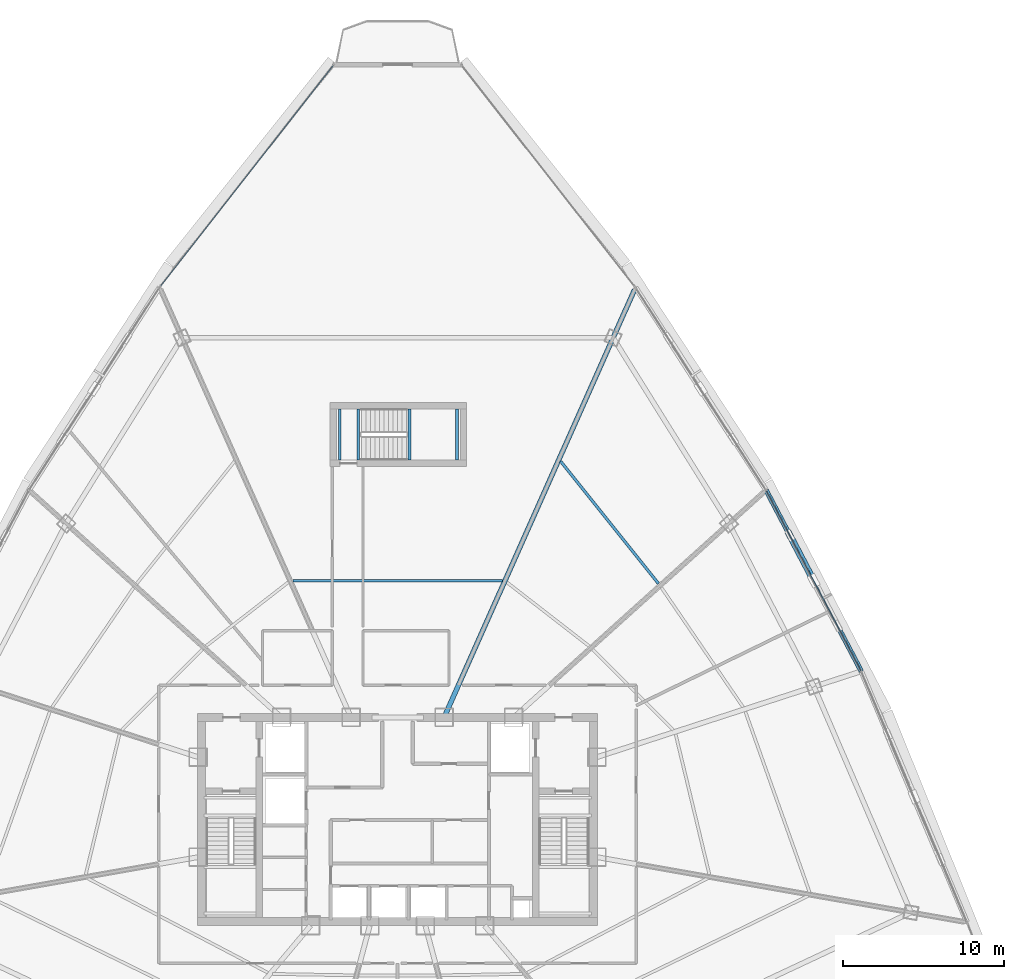
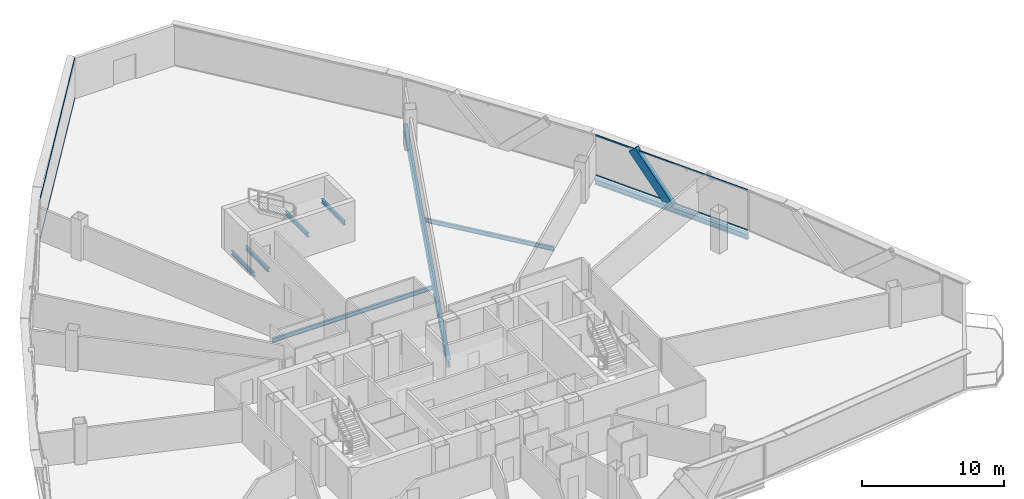
# One storey, part 17 of 34: 8 beams, 5 members, 2 elements without a shape of their own.
"""IFC4 building model written with IfcOpenShell, lengths in metres."""

from ifc_helpers import new_model, si_unit, direction, frame, origin, origin_2d, place, context, subcontext, project, spatial, hollow_rectangle, i_section, extrude, source, transform, mapped, material, layer, layer_set, material_profile, profile_set, type_object, element, aggregate, save


model = new_model("IFC4")

# Units and contexts
model_context = context("Model", 3, precision=1e-05, world=origin(), true_north=direction((0.0, 1.0)))
body_context = subcontext(model_context, "Body", "Model", "MODEL_VIEW")
ifc_project = project(units=[si_unit("LENGTHUNIT", "METRE"), si_unit("AREAUNIT", "SQUARE_METRE"), si_unit("VOLUMEUNIT", "CUBIC_METRE"), si_unit("PLANEANGLEUNIT", "RADIAN"), si_unit("MASSUNIT", "GRAM", prefix="KILO"), si_unit("THERMODYNAMICTEMPERATUREUNIT", "KELVIN"), si_unit("POWERUNIT", "WATT")], contexts=[model_context])

# Site, building, storey
site_placement = place(None, origin())
site = spatial("IfcSite", under=ifc_project, at=site_placement, CompositionType="ELEMENT")
building_placement = place(site_placement, origin())
building = spatial("IfcBuilding", under=site, at=building_placement, Name="Yunzhuo Pagoda Commons", CompositionType="ELEMENT")
storey_placement = place(building_placement, frame((0.0, 0.0, 233.340087890625)))
storey = spatial("IfcBuildingStorey", under=building, at=storey_placement, Name="L58", CompositionType="ELEMENT", Elevation=233.340087890625)

# Beams
ifc_material_1 = material(Name="Structural steel Q355B", Category="steel")
ifc_material_profile_1 = material_profile(ifc_material_1, i_section(OverallWidth=0.175048828125, OverallDepth=0.35009765625, WebThickness=0.007080078125, FlangeThickness=0.010986328125, at=origin_2d()), Name="Structural steel Q355B")
ifc_profile_set_1 = profile_set([ifc_material_profile_1], Name="Structural steel Q355B")
beam_type_1 = type_object("IfcBeamType", Name="B-JS2 Joist HN 350x175x7x11", PredefinedType="JOIST", material=ifc_profile_set_1)
shared_shape_1 = source(origin(), body_context, "Body", "SweptSolid", [
    extrude(i_section(OverallWidth=0.175048828125, OverallDepth=0.35009765625, WebThickness=0.007080078125, FlangeThickness=0.010986328125, at=origin_2d()), origin(), (0.0, 0.0, 1.0), 3.199951171875),
])
for number, where, z_axis, x_axis, name in (
    (1, (48.75, 56.199951171875, 1.489990234375), (0.0, 1.0, 0.0), (-1.0, 0.0, 0.0), "L58 ST3 landing support beam 64A"),
    (2, (51.699951171875, 56.199951171875, 1.489990234375), (0.0, 1.0, 0.0), (-1.0, 0.0, 0.0), "L58 ST3 landing support beam 64B"),
    (3, (44.39990234375, 56.199951171875, -0.375), (0.0, 1.0, 0.0), (-1.0, 0.0, 0.0), "L58 ST3 landing support beam 132A"),
    (4, (45.550048828125, 56.199951171875, -0.375), (0.0, 1.0, 0.0), (-1.0, 0.0, 0.0), "L58 ST3 landing support beam 132B"),
):
    element("IfcBeam", number, at=place(storey_placement, frame(where, z_axis=z_axis, x_axis=x_axis)), inside=storey, type_object=beam_type_1, Name=name, PredefinedType="JOIST", context=body_context, shape_type="MappedRepresentation", body=[
        mapped(shared_shape_1, transform((0.0, 0.0, 0.0), scale=1.0)),
    ])
ifc_material_profile_2 = material_profile(ifc_material_1, i_section(OverallWidth=0.300048828125, OverallDepth=0.43994140625, WebThickness=0.010986328125, FlangeThickness=0.01806640625, at=origin_2d()), Name="Structural steel Q355B")
ifc_profile_set_2 = profile_set([ifc_material_profile_2], Name="Structural steel Q355B")
beam_type_2 = type_object("IfcBeamType", Name="B-SP2 Beam HM 440x300x11x18", PredefinedType="BEAM", material=ifc_profile_set_2)
shared_shape_2 = source(origin(), body_context, "Body", "SweptSolid", [
    extrude(i_section(OverallWidth=0.300048828125, OverallDepth=0.43994140625, WebThickness=0.010986328125, FlangeThickness=0.01806640625, at=origin_2d()), origin(), (0.0, 0.0, 1.0), 12.72802734375),
])
beam_1_placement = place(storey_placement, frame((76.84423828125, 43.072265625, -0.47998046875), z_axis=(-0.465335297966, 0.88513448722, 0.0), x_axis=(-0.88513448722, -0.465335297966, 0.0)))
element("IfcBeam", 5, at=beam_1_placement, inside=storey, type_object=beam_type_2, Name="L58 facade edge spandrel beam F2.2", PredefinedType="BEAM", context=body_context, shape_type="MappedRepresentation", body=[
    mapped(shared_shape_2, transform((0.0, 0.0, 0.0), scale=1.0)),
])
ifc_material_profile_3 = material_profile(ifc_material_1, i_section(OverallWidth=0.300048828125, OverallDepth=0.64990234375, WebThickness=0.012939453125, FlangeThickness=0.02197265625, at=origin_2d()), Name="Structural steel Q355B")
ifc_profile_set_3 = profile_set([ifc_material_profile_3], Name="Structural steel Q355B")
beam_type_3 = type_object("IfcBeamType", Name="B-RG2 Beam HN 650x300x13x22", PredefinedType="BEAM", material=ifc_profile_set_3)
shared_shape_3 = source(origin(), body_context, "Body", "SweptSolid", [
    extrude(i_section(OverallWidth=0.300048828125, OverallDepth=0.64990234375, WebThickness=0.012939453125, FlangeThickness=0.02197265625, at=origin_2d()), origin(), (0.0, 0.0, 1.0), 29.12451171875),
])
beam_2_placement = place(storey_placement, frame((62.739990234375, 66.806640625, -0.585205078125), z_axis=(-0.406733373538, -0.913546913328, 0.0), x_axis=(0.913546913328, -0.406733373538, 0.0)))
element("IfcBeam", 6, at=beam_2_placement, inside=storey, type_object=beam_type_3, Name="L58 radial floor girder F2C4", PredefinedType="BEAM", context=body_context, shape_type="MappedRepresentation", body=[
    mapped(shared_shape_3, transform((0.0, 0.0, 0.0), scale=1.0)),
])
shared_shape_4 = source(origin(), body_context, "Body", "SweptSolid", [
    extrude(i_section(OverallWidth=0.175048828125, OverallDepth=0.35009765625, WebThickness=0.007080078125, FlangeThickness=0.010986328125, at=origin_2d()), origin(), (0.0, 0.0, 1.0), 9.741455078125),
])
beam_3_placement = place(storey_placement, frame((64.226806640625, 48.5244140625, -0.43505859375), z_axis=(-0.624618636222, 0.780929932378, 0.0), x_axis=(-0.780929932378, -0.624618636222, 0.0)))
element("IfcBeam", 7, at=beam_3_placement, inside=storey, type_object=beam_type_1, Name="L58 composite ring joist 2.7", PredefinedType="JOIST", context=body_context, shape_type="MappedRepresentation", body=[
    mapped(shared_shape_4, transform((0.0, 0.0, 0.0), scale=1.0)),
])
shared_shape_5 = source(origin(), body_context, "Body", "SweptSolid", [
    extrude(i_section(OverallWidth=0.175048828125, OverallDepth=0.35009765625, WebThickness=0.007080078125, FlangeThickness=0.010986328125, at=origin_2d()), origin(), (0.0, 0.0, 1.0), 13.0390625),
])
beam_4_placement = place(storey_placement, frame((54.51953125, 48.7001953125, -0.43505859375), z_axis=(-1.0, 0.0, 0.0), x_axis=(0.0, -1.0, 0.0)))
element("IfcBeam", 8, at=beam_4_placement, inside=storey, type_object=beam_type_1, Name="L58 composite ring joist 1.8", PredefinedType="JOIST", context=body_context, shape_type="MappedRepresentation", body=[
    mapped(shared_shape_5, transform((0.0, 0.0, 0.0), scale=1.0)),
])

# Member
ifc_material_profile_4 = material_profile(ifc_material_1, hollow_rectangle(XDim=0.39990234375, YDim=0.719970703125, WallThickness=0.02392578125, at=origin_2d()), Name="Structural steel Q355B")
ifc_profile_set_4 = profile_set([ifc_material_profile_4], Name="Structural steel Q355B")
member_type_1 = type_object("IfcMemberType", Name="M-DL2 Brace BOX 720x400x24", PredefinedType="BRACE", material=ifc_profile_set_4)
shared_shape_6 = source(origin(), body_context, "Body", "SweptSolid", [
    extrude(hollow_rectangle(XDim=0.39990234375, YDim=0.719970703125, WallThickness=0.02392578125, at=origin_2d()), origin(), (0.0, 0.0, 1.0), 4.903076171875),
])
member_1_placement = place(storey_placement, frame((73.883056640625, 48.705322265625, -0.260009765625), z_axis=(-0.302050581027, 0.57447371469, 0.760753177865), x_axis=(-0.885111192899, -0.465379604414, 0.0)))
element("IfcMember", 9, at=member_1_placement, inside=storey, type_object=member_type_1, Name="L58 facade diamond brace F2.2R", PredefinedType="BRACE", context=body_context, shape_type="MappedRepresentation", body=[
    mapped(shared_shape_6, transform((0.0, 0.0, 0.0), scale=1.0)),
])

# Curtain wall, members
ifc_material_2 = material(Name="Anodized aluminium 6063-T6", Category="aluminium")
ifc_layer = layer(ifc_material_2, 0.139892578125)
ifc_layer_set = layer_set([ifc_layer], Name="Anodized aluminium 6063-T6")
curtain_wall_type = type_object("IfcCurtainWallType", Name="CW-HI High-Zone Ribbon Curtain Wall", PredefinedType="NOTDEFINED", material=ifc_layer_set)
curtain_wall_1_placement = place(storey_placement, origin())
curtain_wall_1 = element("IfcCurtainWall", 10, at=curtain_wall_1_placement, inside=storey, type_object=curtain_wall_type, Name="L58 curtain wall CW-L58-F2B3", PredefinedType="NOTDEFINED")
ifc_material_profile_5 = material_profile(ifc_material_2, hollow_rectangle(XDim=0.054931640625, YDim=0.1201171875, WallThickness=0.00341796875, at=origin_2d()), Name="Anodized aluminium 6063-T6")
ifc_profile_set_5 = profile_set([ifc_material_profile_5], Name="Anodized aluminium 6063-T6")
member_type_2 = type_object("IfcMemberType", Name="CW-HI-T Transom RHS 120x55x3.5", PredefinedType="USERDEFINED", material=ifc_profile_set_5)
shared_shape_7 = source(origin(), body_context, "Body", "SweptSolid", [
    extrude(hollow_rectangle(XDim=0.054931640625, YDim=0.1201171875, WallThickness=0.00341796875, at=origin_2d()), origin(), (0.0, 0.0, 1.0), 12.6083984375),
])
member_2_placement = place(storey_placement, frame((76.81640625, 43.125244140625, 0.02734375), z_axis=(-0.465337780668, 0.885133182003, 0.0), x_axis=(-0.885133182003, -0.465337780668, 0.0)))
member_2 = element("IfcMember", 11, at=member_2_placement, type_object=member_type_2, Name="CW transom 1.1", ObjectType="TRANSOM", PredefinedType="USERDEFINED", context=body_context, shape_type="MappedRepresentation", body=[
    mapped(shared_shape_7, transform((0.0, 0.0, 0.0), scale=1.0)),
])
member_3_placement = place(storey_placement, frame((76.81640625, 43.125244140625, 3.4423828125), z_axis=(-0.465337780668, 0.885133182003, 0.0), x_axis=(-0.885133182003, -0.465337780668, 0.0)))
member_3 = element("IfcMember", 12, at=member_3_placement, type_object=member_type_2, Name="CW transom 1.2", ObjectType="TRANSOM", PredefinedType="USERDEFINED", context=body_context, shape_type="MappedRepresentation", body=[
    mapped(shared_shape_7, transform((0.0, 0.0, 0.0), scale=1.0)),
])
aggregate(curtain_wall_1, [member_2, member_3])

curtain_wall_2_placement = place(storey_placement, origin())
curtain_wall_2 = element("IfcCurtainWall", 13, at=curtain_wall_2_placement, inside=storey, type_object=curtain_wall_type, Name="L58 curtain wall CW-L58-F3B1", PredefinedType="NOTDEFINED")
shared_shape_8 = source(origin(), body_context, "Body", "SweptSolid", [
    extrude(hollow_rectangle(XDim=0.054931640625, YDim=0.1201171875, WallThickness=0.00341796875, at=origin_2d()), origin(), (0.0, 0.0, 1.0), 17.39404296875),
])
member_4_placement = place(storey_placement, frame((43.99755859375, 80.754638671875, 0.02734375), z_axis=(-0.616143998009, -0.787633527548, 0.0), x_axis=(0.787633527548, -0.616143998009, 0.0)))
member_4 = element("IfcMember", 14, at=member_4_placement, type_object=member_type_2, Name="CW transom 1.1", ObjectType="TRANSOM", PredefinedType="USERDEFINED", context=body_context, shape_type="MappedRepresentation", body=[
    mapped(shared_shape_8, transform((0.0, 0.0, 0.0), scale=1.0)),
])
member_5_placement = place(storey_placement, frame((43.99755859375, 80.754638671875, 3.4423828125), z_axis=(-0.616143998009, -0.787633527548, 0.0), x_axis=(0.787633527548, -0.616143998009, 0.0)))
member_5 = element("IfcMember", 15, at=member_5_placement, type_object=member_type_2, Name="CW transom 1.2", ObjectType="TRANSOM", PredefinedType="USERDEFINED", context=body_context, shape_type="MappedRepresentation", body=[
    mapped(shared_shape_8, transform((0.0, 0.0, 0.0), scale=1.0)),
])
aggregate(curtain_wall_2, [member_4, member_5])

save(model, "model.ifc")
